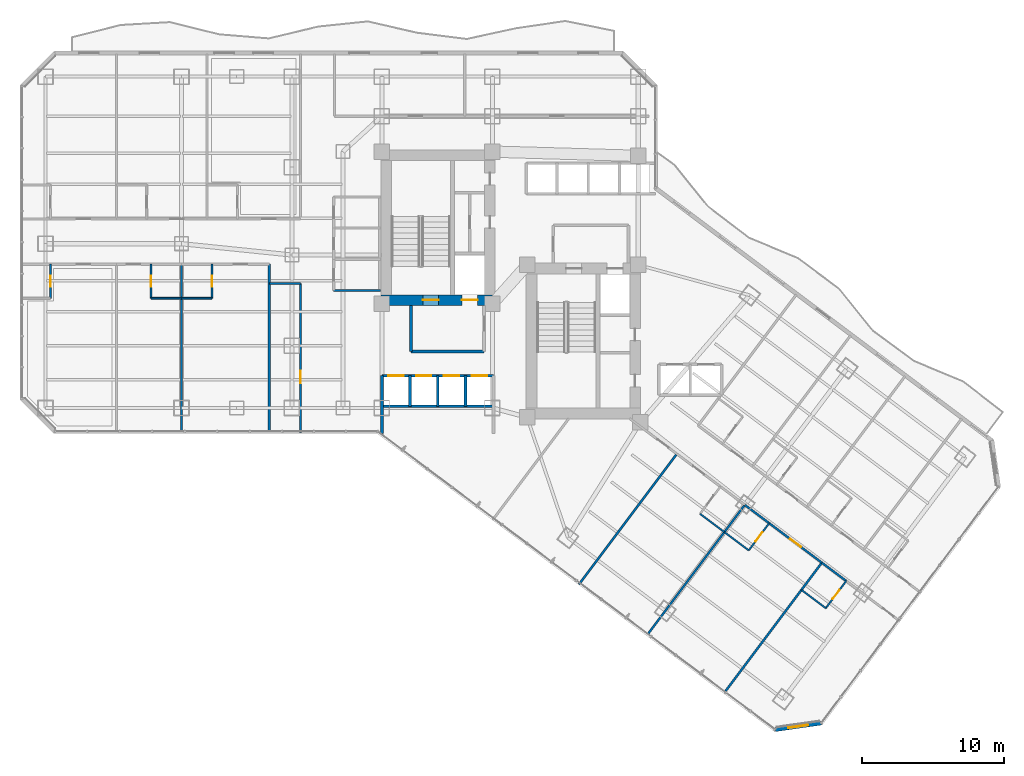
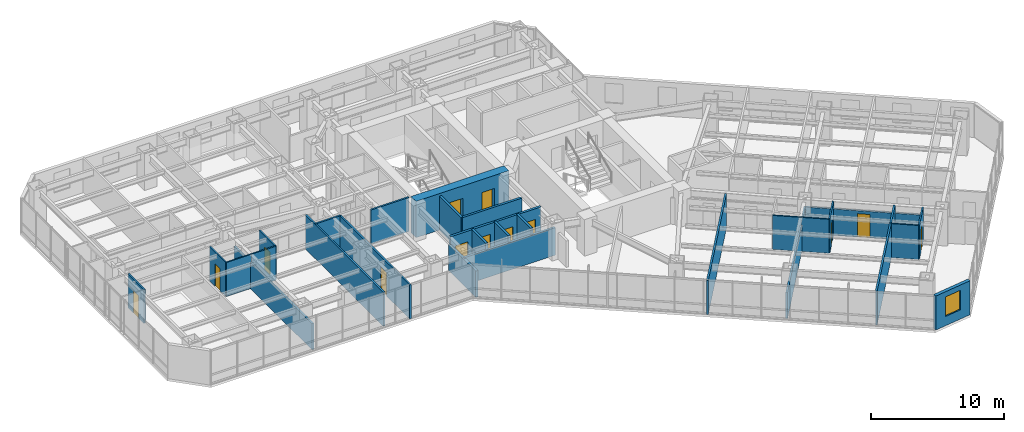
# One storey, part 28 of 38: 31 walls, 13 doors, 1 window, 14 openings.
"""IFC4 building model written with IfcOpenShell, lengths in metres."""

from ifc_helpers import new_model, si_unit, direction, frame, frame_2d, origin, place, context, subcontext, project, spatial, rectangle, extrude, material, layer, layer_set, type_object, element, fill, save


model = new_model("IFC4")

# Units and contexts
model_context = context("Model", 3, precision=1e-05, world=origin(), true_north=direction((0.0, 1.0)))
body_context = subcontext(model_context, "Body", "Model", "MODEL_VIEW")
ifc_project = project(units=[si_unit("LENGTHUNIT", "METRE"), si_unit("AREAUNIT", "SQUARE_METRE"), si_unit("VOLUMEUNIT", "CUBIC_METRE"), si_unit("PLANEANGLEUNIT", "RADIAN"), si_unit("MASSUNIT", "GRAM", prefix="KILO")], contexts=[model_context])

# Site, building, storey
site_placement = place(None, origin())
site = spatial("IfcSite", under=ifc_project, at=site_placement, CompositionType="ELEMENT")
building_placement = place(site_placement, origin())
building = spatial("IfcBuilding", under=site, at=building_placement, Name="Hatsunagi Terrace Concourse", CompositionType="ELEMENT")
storey_placement = place(building_placement, frame((0.0, 0.0, 63.39990234375)))
storey = spatial("IfcBuildingStorey", under=building, at=storey_placement, Name="L16", CompositionType="ELEMENT", Elevation=63.39990234375)

# Wall, openings, doors
ifc_material_1 = material(Name="Concrete Fc60", Category="concrete")
ifc_layer_1 = layer(ifc_material_1, 0.75)
ifc_layer_set_1 = layer_set([ifc_layer_1], Name="CoreShearWall_Fc60_750")
wall_type_1 = type_object("IfcWallType", Name="CoreShearWall_Fc60_750", PredefinedType="SHEAR", material=ifc_layer_set_1)
wall_1_placement = place(storey_placement, frame((25.469970703125, 32.81494140625, 0.0), z_axis=(0.0, 0.0, 1.0), x_axis=(1.0, 0.0, 0.0)))
wall_1 = element("IfcWall", 1, at=wall_1_placement, inside=storey, type_object=wall_type_1, Name="Core A Shear Wall S L16", PredefinedType="SHEAR", context=body_context, shape_type="SweptSolid", body=[
    extrude(rectangle(XDim=8.080078125, YDim=0.75, at=frame_2d((4.0400390625, 0.0))), origin(), (0.0, 0.0, 1.0), 3.35009765625),
])
opening_1_placement = place(wall_1_placement, frame((2.97998046875, 0.0, 0.0)))
opening_1 = element("IfcOpeningElement", 2, at=opening_1_placement, cuts=wall_1, Name="Opening DR-110S", PredefinedType="OPENING", context=body_context, shape_type="SweptSolid", body=[
    extrude(rectangle(XDim=1.10009765625, YDim=2.199951171875, at=frame_2d((0.550048828125, 1.10009765625))), frame((0.0, 0.385009765625, 0.0), z_axis=(0.0, -1.0, 0.0), x_axis=(1.0, 0.0, 0.0)), (0.0, 0.0, 1.0), 0.77001953125),
])
opening_2_placement = place(wall_1_placement, frame((5.72998046875, 0.0, 0.0)))
opening_2 = element("IfcOpeningElement", 3, at=opening_2_placement, cuts=wall_1, Name="Opening LD-01", PredefinedType="OPENING", context=body_context, shape_type="SweptSolid", body=[
    extrude(rectangle(XDim=1.10009765625, YDim=2.14990234375, at=frame_2d((0.550048828125, 1.074951171875))), frame((0.0, 0.385009765625, 0.0), z_axis=(0.0, -1.0, 0.0), x_axis=(1.0, 0.0, 0.0)), (0.0, 0.0, 1.0), 0.77001953125),
])
ifc_material_2 = material(Name="Stainless steel", Category="steel")
door_type_1 = type_object("IfcDoorType", Name="LiftLandingDoor_LD01", OperationType="SLIDING_TO_LEFT", PredefinedType="USERDEFINED", material=ifc_material_2)
door_1_placement = place(opening_2_placement, origin())
door_1 = element("IfcDoor", 4, at=door_1_placement, inside=storey, type_object=door_type_1, Name="Lift landing door FF-01 L16", ObjectType="SLIDING_LANDING_DOOR", OperationType="SLIDING_TO_LEFT", OverallHeight=2.14990234375, OverallWidth=1.10009765625, PredefinedType="USERDEFINED", context=body_context, shape_type="SweptSolid", body=[
    extrude(rectangle(XDim=1.10009765625, YDim=2.14990234375, at=frame_2d((0.550048828125, 1.074951171875))), frame((0.0, 0.02490234375, 0.0), z_axis=(0.0, -1.0, 0.0), x_axis=(1.0, 0.0, 0.0)), (0.0, 0.0, 1.0), 0.050048828125),
])
fill(opening_2, door_1)
ifc_material_3 = material(Name="Painted steel", Category="steel")
door_type_2 = type_object("IfcDoorType", Name="StairFireDoor_EI60_1100", OperationType="NOTDEFINED", PredefinedType="DOOR", material=ifc_material_3)
door_2_placement = place(opening_1_placement, origin())
door_2 = element("IfcDoor", 5, at=door_2_placement, inside=storey, type_object=door_type_2, Name="Stair ST-A Exit Door L16", OperationType="SINGLE_SWING_LEFT", OverallHeight=2.199951171875, OverallWidth=1.10009765625, PredefinedType="DOOR", context=body_context, shape_type="SweptSolid", body=[
    extrude(rectangle(XDim=1.10009765625, YDim=2.199951171875, at=frame_2d((0.550048828125, 1.10009765625))), frame((0.0, 0.02490234375, 0.0), z_axis=(0.0, -1.0, 0.0), x_axis=(1.0, 0.0, 0.0)), (0.0, 0.0, 1.0), 0.050048828125),
])
fill(opening_1, door_2)

# Wall, opening, door
ifc_material_4 = material(Name="Acoustic mineral board", Category="gypsum")
ifc_layer_2 = layer(ifc_material_4, 0.1201171875)
ifc_layer_set_2 = layer_set([ifc_layer_2], Name="PartitionWall_EI30_120")
wall_type_2 = type_object("IfcWallType", Name="PartitionWall_EI30_120", PredefinedType="PARTITIONING", material=ifc_layer_set_2)
wall_2_placement = place(storey_placement, frame((2.14990234375, 32.949951171875, 0.0), z_axis=(0.0, 0.0, 1.0), x_axis=(0.0, 1.0, 0.0)))
wall_2 = element("IfcWall", 6, at=wall_2_placement, inside=storey, type_object=wall_type_2, Name="Interior Partition IW-L16-062", PredefinedType="PARTITIONING", context=body_context, shape_type="SweptSolid", body=[
    extrude(rectangle(XDim=2.400146484375, YDim=0.1201171875, at=frame_2d((1.2001953125, 0.0))), origin(), (0.0, 0.0, 1.0), 3.130126953125),
])
opening_3_placement = place(wall_2_placement, frame((0.800048828125, 0.0, 0.0)))
opening_3 = element("IfcOpeningElement", 7, at=opening_3_placement, cuts=wall_2, Name="Opening DR-080", PredefinedType="OPENING", context=body_context, shape_type="SweptSolid", body=[
    extrude(rectangle(XDim=0.800048828125, YDim=2.06005859375, at=frame_2d((0.39990234375, 1.030029296875))), frame((0.0, 0.070068359375, 0.0), z_axis=(0.0, -1.0, 0.0), x_axis=(1.0, 0.0, 0.0)), (0.0, 0.0, 1.0), 0.14013671875),
])
ifc_material_5 = material(Name="Hardwood timber", Category="wood")
door_type_3 = type_object("IfcDoorType", Name="BathroomDoor_800", OperationType="NOTDEFINED", PredefinedType="DOOR", material=ifc_material_5)
door_3_placement = place(opening_3_placement, origin())
door_3 = element("IfcDoor", 8, at=door_3_placement, inside=storey, type_object=door_type_3, Name="En-Suite Bathroom L16-S1 Door", OperationType="SINGLE_SWING_RIGHT", OverallHeight=2.06005859375, OverallWidth=0.800048828125, PredefinedType="DOOR", context=body_context, shape_type="SweptSolid", body=[
    extrude(rectangle(XDim=0.800048828125, YDim=2.06005859375, at=frame_2d((0.39990234375, 1.030029296875))), frame((0.0, 0.02490234375, 0.0), z_axis=(0.0, -1.0, 0.0), x_axis=(1.0, 0.0, 0.0)), (0.0, 0.0, 1.0), 0.050048828125),
])
fill(opening_3, door_3)

wall_3_placement = place(storey_placement, frame((9.25, 32.949951171875, 0.0), z_axis=(0.0, 0.0, 1.0), x_axis=(0.0, 1.0, 0.0)))
wall_3 = element("IfcWall", 9, at=wall_3_placement, inside=storey, type_object=wall_type_2, Name="Interior Partition IW-L16-067", PredefinedType="PARTITIONING", context=body_context, shape_type="SweptSolid", body=[
    extrude(rectangle(XDim=2.400146484375, YDim=0.1201171875, at=frame_2d((1.2001953125, 0.0))), origin(), (0.0, 0.0, 1.0), 3.130126953125),
])
opening_4_placement = place(wall_3_placement, frame((0.800048828125, 0.0, 0.0)))
opening_4 = element("IfcOpeningElement", 10, at=opening_4_placement, cuts=wall_3, Name="Opening DR-080", PredefinedType="OPENING", context=body_context, shape_type="SweptSolid", body=[
    extrude(rectangle(XDim=0.800048828125, YDim=2.06005859375, at=frame_2d((0.39990234375, 1.030029296875))), frame((0.0, 0.070068359375, 0.0), z_axis=(0.0, -1.0, 0.0), x_axis=(1.0, 0.0, 0.0)), (0.0, 0.0, 1.0), 0.14013671875),
])
door_4_placement = place(opening_4_placement, origin())
door_4 = element("IfcDoor", 11, at=door_4_placement, inside=storey, type_object=door_type_3, Name="En-Suite Bathroom L16-S2 Door", OperationType="SINGLE_SWING_LEFT", OverallHeight=2.06005859375, OverallWidth=0.800048828125, PredefinedType="DOOR", context=body_context, shape_type="SweptSolid", body=[
    extrude(rectangle(XDim=0.800048828125, YDim=2.06005859375, at=frame_2d((0.39990234375, 1.030029296875))), frame((0.0, 0.02490234375, 0.0), z_axis=(0.0, -1.0, 0.0), x_axis=(1.0, 0.0, 0.0)), (0.0, 0.0, 1.0), 0.050048828125),
])
fill(opening_4, door_4)

# Wall
wall_4_placement = place(storey_placement, frame((9.25, 32.949951171875, 0.0), z_axis=(0.0, 0.0, 1.0), x_axis=(1.0, 0.0, 0.0)))
element("IfcWall", 12, at=wall_4_placement, inside=storey, type_object=wall_type_2, Name="Interior Partition IW-L16-068", PredefinedType="PARTITIONING", context=body_context, shape_type="SweptSolid", body=[
    extrude(rectangle(XDim=2.14990234375, YDim=0.1201171875, at=frame_2d((1.074951171875, 0.0))), origin(), (0.0, 0.0, 1.0), 3.130126953125),
])

# Wall, opening, door
wall_5_placement = place(storey_placement, frame((13.550048828125, 32.949951171875, 0.0), z_axis=(0.0, 0.0, 1.0), x_axis=(0.0, 1.0, 0.0)))
wall_5 = element("IfcWall", 13, at=wall_5_placement, inside=storey, type_object=wall_type_2, Name="Interior Partition IW-L16-072", PredefinedType="PARTITIONING", context=body_context, shape_type="SweptSolid", body=[
    extrude(rectangle(XDim=2.400146484375, YDim=0.1201171875, at=frame_2d((1.2001953125, 0.0))), origin(), (0.0, 0.0, 1.0), 3.130126953125),
])
opening_5_placement = place(wall_5_placement, frame((0.800048828125, 0.0, 0.0)))
opening_5 = element("IfcOpeningElement", 14, at=opening_5_placement, cuts=wall_5, Name="Opening DR-080", PredefinedType="OPENING", context=body_context, shape_type="SweptSolid", body=[
    extrude(rectangle(XDim=0.800048828125, YDim=2.06005859375, at=frame_2d((0.39990234375, 1.030029296875))), frame((0.0, 0.070068359375, 0.0), z_axis=(0.0, -1.0, 0.0), x_axis=(1.0, 0.0, 0.0)), (0.0, 0.0, 1.0), 0.14013671875),
])
door_5_placement = place(opening_5_placement, origin())
door_5 = element("IfcDoor", 15, at=door_5_placement, inside=storey, type_object=door_type_3, Name="En-Suite Bathroom L16-S3 Door", OperationType="SINGLE_SWING_RIGHT", OverallHeight=2.06005859375, OverallWidth=0.800048828125, PredefinedType="DOOR", context=body_context, shape_type="SweptSolid", body=[
    extrude(rectangle(XDim=0.800048828125, YDim=2.06005859375, at=frame_2d((0.39990234375, 1.030029296875))), frame((0.0, 0.02490234375, 0.0), z_axis=(0.0, -1.0, 0.0), x_axis=(1.0, 0.0, 0.0)), (0.0, 0.0, 1.0), 0.050048828125),
])
fill(opening_5, door_5)

# Walls
wall_6_placement = place(storey_placement, frame((11.39990234375, 32.949951171875, 0.0), z_axis=(0.0, 0.0, 1.0), x_axis=(1.0, 0.0, 0.0)))
element("IfcWall", 16, at=wall_6_placement, inside=storey, type_object=wall_type_2, Name="Interior Partition IW-L16-073", PredefinedType="PARTITIONING", context=body_context, shape_type="SweptSolid", body=[
    extrude(rectangle(XDim=2.150146484375, YDim=0.1201171875, at=frame_2d((1.0751953125, 0.0))), origin(), (0.0, 0.0, 1.0), 3.130126953125),
])
wall_7_placement = place(storey_placement, frame((48.010009765625, 17.72998046875, 0.0), z_axis=(0.0, 0.0, 1.0), x_axis=(0.79998637334, -0.60001816845, 0.0)))
element("IfcWall", 17, at=wall_7_placement, inside=storey, type_object=wall_type_2, Name="Interior Partition IW-L16-100", PredefinedType="PARTITIONING", context=body_context, shape_type="SweptSolid", body=[
    extrude(rectangle(XDim=2.14990234375, YDim=0.1201171875, at=frame_2d((1.074951171875, 0.0))), origin(), (0.0, 0.0, 1.0), 3.130126953125),
])

# Wall, opening, door
wall_8_placement = place(storey_placement, frame((51.449951171875, 15.14990234375, 0.0), z_axis=(0.0, 0.0, 1.0), x_axis=(0.599951172744, 0.800036618114, 0.0)))
wall_8 = element("IfcWall", 18, at=wall_8_placement, inside=storey, type_object=wall_type_2, Name="Interior Partition IW-L16-104", PredefinedType="PARTITIONING", context=body_context, shape_type="SweptSolid", body=[
    extrude(rectangle(XDim=2.400146484375, YDim=0.1201171875, at=frame_2d((1.2001953125, 0.0))), origin(), (0.0, 0.0, 1.0), 3.130126953125),
])
opening_6_placement = place(wall_8_placement, frame((0.800048828125, 0.0, 0.0)))
opening_6 = element("IfcOpeningElement", 19, at=opening_6_placement, cuts=wall_8, Name="Opening DR-080", PredefinedType="OPENING", context=body_context, shape_type="SweptSolid", body=[
    extrude(rectangle(XDim=0.800048828125, YDim=2.06005859375, at=frame_2d((0.39990234375, 1.030029296875))), frame((0.0, 0.070068359375, 0.0), z_axis=(0.0, -1.0, 0.0), x_axis=(1.0, 0.0, 0.0)), (0.0, 0.0, 1.0), 0.14013671875),
])
door_6_placement = place(opening_6_placement, origin())
door_6 = element("IfcDoor", 20, at=door_6_placement, inside=storey, type_object=door_type_3, Name="En-Suite Bathroom L16-SESW2 Door", OperationType="SINGLE_SWING_RIGHT", OverallHeight=2.06005859375, OverallWidth=0.800048828125, PredefinedType="DOOR", context=body_context, shape_type="SweptSolid", body=[
    extrude(rectangle(XDim=0.800048828125, YDim=2.06005859375, at=frame_2d((0.39990234375, 1.030029296875))), frame((0.0, 0.02490234375, 0.0), z_axis=(0.0, -1.0, 0.0), x_axis=(1.0, 0.0, 0.0)), (0.0, 0.0, 1.0), 0.050048828125),
])
fill(opening_6, door_6)

# Wall
wall_9_placement = place(storey_placement, frame((49.72998046875, 16.43994140625, 0.0), z_axis=(0.0, 0.0, 1.0), x_axis=(0.79998637334, -0.60001816845, 0.0)))
element("IfcWall", 21, at=wall_9_placement, inside=storey, type_object=wall_type_2, Name="Interior Partition IW-L16-105", PredefinedType="PARTITIONING", context=body_context, shape_type="SweptSolid", body=[
    extrude(rectangle(XDim=2.14990234375, YDim=0.1201171875, at=frame_2d((1.074951171875, 0.0))), origin(), (0.0, 0.0, 1.0), 3.130126953125),
])

# Wall, opening, door
wall_10_placement = place(storey_placement, frame((56.889892578125, 11.070068359375, 0.0), z_axis=(0.0, 0.0, 1.0), x_axis=(0.600065100855, 0.79995117022, 0.0)))
wall_10 = element("IfcWall", 22, at=wall_10_placement, inside=storey, type_object=wall_type_2, Name="Interior Partition IW-L16-109", PredefinedType="PARTITIONING", context=body_context, shape_type="SweptSolid", body=[
    extrude(rectangle(XDim=2.400146484375, YDim=0.1201171875, at=frame_2d((1.2001953125, 0.0))), origin(), (0.0, 0.0, 1.0), 3.130126953125),
])
opening_7_placement = place(wall_10_placement, frame((0.800048828125, 0.0, 0.0)))
opening_7 = element("IfcOpeningElement", 23, at=opening_7_placement, cuts=wall_10, Name="Opening DR-080", PredefinedType="OPENING", context=body_context, shape_type="SweptSolid", body=[
    extrude(rectangle(XDim=0.800048828125, YDim=2.06005859375, at=frame_2d((0.39990234375, 1.030029296875))), frame((0.0, 0.070068359375, 0.0), z_axis=(0.0, -1.0, 0.0), x_axis=(1.0, 0.0, 0.0)), (0.0, 0.0, 1.0), 0.14013671875),
])
door_7_placement = place(opening_7_placement, origin())
door_7 = element("IfcDoor", 24, at=door_7_placement, inside=storey, type_object=door_type_3, Name="En-Suite Bathroom L16-SESW3 Door", OperationType="SINGLE_SWING_LEFT", OverallHeight=2.06005859375, OverallWidth=0.800048828125, PredefinedType="DOOR", context=body_context, shape_type="SweptSolid", body=[
    extrude(rectangle(XDim=0.800048828125, YDim=2.06005859375, at=frame_2d((0.39990234375, 1.030029296875))), frame((0.0, 0.02490234375, 0.0), z_axis=(0.0, -1.0, 0.0), x_axis=(1.0, 0.0, 0.0)), (0.0, 0.0, 1.0), 0.050048828125),
])
fill(opening_7, door_7)

# Walls
wall_11_placement = place(storey_placement, frame((55.169921875, 12.360107421875, 0.0), z_axis=(0.0, 0.0, 1.0), x_axis=(0.79998637334, -0.60001816845, 0.0)))
element("IfcWall", 25, at=wall_11_placement, inside=storey, type_object=wall_type_2, Name="Interior Partition IW-L16-110", PredefinedType="PARTITIONING", context=body_context, shape_type="SweptSolid", body=[
    extrude(rectangle(XDim=2.14990234375, YDim=0.1201171875, at=frame_2d((1.074951171875, 0.0))), origin(), (0.0, 0.0, 1.0), 3.130126953125),
])
ifc_material_6 = material(Name="Acoustic mineral board", Category="gypsum")
ifc_layer_3 = layer(ifc_material_6, 0.14990234375)
ifc_layer_set_3 = layer_set([ifc_layer_3], Name="PartitionWall_EI60_150")
wall_type_3 = type_object("IfcWallType", Name="PartitionWall_EI60_150", PredefinedType="PARTITIONING", material=ifc_layer_set_3)
wall_12_placement = place(storey_placement, frame((22.14990234375, 33.5, 0.0), z_axis=(0.0, 0.0, 1.0), x_axis=(1.0, 0.0, 0.0)))
element("IfcWall", 26, at=wall_12_placement, inside=storey, type_object=wall_type_3, Name="Interior Partition IW-L16-030", PredefinedType="PARTITIONING", context=body_context, shape_type="SweptSolid", body=[
    extrude(rectangle(XDim=3.300048828125, YDim=0.14990234375, at=frame_2d((1.64990234375, 0.0))), origin(), (0.0, 0.0, 1.0), 3.130126953125),
])
wall_13_placement = place(storey_placement, frame((39.464111328125, 12.751953125, 0.0), z_axis=(0.0, 0.0, 1.0), x_axis=(0.6, 0.8, 0.0)))
element("IfcWall", 27, at=wall_13_placement, inside=storey, type_object=wall_type_3, Name="Interior Partition IW-L16-044", PredefinedType="PARTITIONING", context=body_context, shape_type="SweptSolid", body=[
    extrude(rectangle(XDim=11.510009765625, YDim=0.14990234375, at=frame_2d((5.7548828125, 0.0))), origin(), (0.0, 0.0, 1.0), 3.130126953125),
])
wall_14_placement = place(storey_placement, frame((11.39990234375, 23.60009765625, 0.0), z_axis=(0.0, 0.0, 1.0), x_axis=(0.0, 1.0, 0.0)))
element("IfcWall", 28, at=wall_14_placement, inside=storey, type_object=wall_type_3, Name="Interior Partition IW-L16-069", PredefinedType="PARTITIONING", context=body_context, shape_type="SweptSolid", body=[
    extrude(rectangle(XDim=11.75, YDim=0.14990234375, at=frame_2d((5.875, 0.0))), origin(), (0.0, 0.0, 1.0), 2.425048828125),
])
wall_15_placement = place(storey_placement, frame((17.60009765625, 23.60009765625, 0.0), z_axis=(0.0, 0.0, 1.0), x_axis=(0.0, 1.0, 0.0)))
element("IfcWall", 29, at=wall_15_placement, inside=storey, type_object=wall_type_3, Name="Interior Partition IW-L16-074", PredefinedType="PARTITIONING", context=body_context, shape_type="SweptSolid", body=[
    extrude(rectangle(XDim=11.75, YDim=0.14990234375, at=frame_2d((5.875, 0.0))), origin(), (0.0, 0.0, 1.0), 3.130126953125),
])
wall_16_placement = place(storey_placement, frame((17.60009765625, 34.0, 0.0), z_axis=(0.0, 0.0, 1.0), x_axis=(1.0, 0.0, 0.0)))
element("IfcWall", 30, at=wall_16_placement, inside=storey, type_object=wall_type_3, Name="Interior Partition IW-L16-075", PredefinedType="PARTITIONING", context=body_context, shape_type="SweptSolid", body=[
    extrude(rectangle(XDim=2.199951171875, YDim=0.14990234375, at=frame_2d((1.10009765625, 0.0))), origin(), (0.0, 0.0, 1.0), 3.130126953125),
])

# Wall, opening, door
wall_17_placement = place(storey_placement, frame((19.800048828125, 23.43994140625, 0.0), z_axis=(0.0, 0.0, 1.0), x_axis=(0.0, 1.0, 0.0)))
wall_17 = element("IfcWall", 31, at=wall_17_placement, inside=storey, type_object=wall_type_3, Name="Interior Partition IW-L16-076", PredefinedType="PARTITIONING", context=body_context, shape_type="SweptSolid", body=[
    extrude(rectangle(XDim=10.56005859375, YDim=0.14990234375, at=frame_2d((5.280029296875, 0.0))), origin(), (0.0, 0.0, 1.0), 3.130126953125),
])
opening_8_placement = place(wall_17_placement, frame((3.4951171875, 0.0, 0.0)))
opening_8 = element("IfcOpeningElement", 32, at=opening_8_placement, cuts=wall_17, Name="Opening DR-090", PredefinedType="OPENING", context=body_context, shape_type="SweptSolid", body=[
    extrude(rectangle(XDim=0.89990234375, YDim=2.14990234375, at=frame_2d((0.449951171875, 1.074951171875))), frame((0.0, 0.0849609375, 0.0), z_axis=(0.0, -1.0, 0.0), x_axis=(1.0, 0.0, 0.0)), (0.0, 0.0, 1.0), 0.169921875),
])
ifc_material_7 = material(Name="Hardwood timber", Category="wood")
door_type_4 = type_object("IfcDoorType", Name="CrownPavilionDoor_EI30_900", OperationType="NOTDEFINED", PredefinedType="DOOR", material=ifc_material_7)
door_8_placement = place(opening_8_placement, origin())
door_8 = element("IfcDoor", 33, at=door_8_placement, inside=storey, type_object=door_type_4, Name="Catering Pantry L16-HPAN Door", OperationType="SINGLE_SWING_RIGHT", OverallHeight=2.14990234375, OverallWidth=0.89990234375, PredefinedType="DOOR", context=body_context, shape_type="SweptSolid", body=[
    extrude(rectangle(XDim=0.89990234375, YDim=2.14990234375, at=frame_2d((0.449951171875, 1.074951171875))), frame((0.0, 0.02490234375, 0.0), z_axis=(0.0, -1.0, 0.0), x_axis=(1.0, 0.0, 0.0)), (0.0, 0.0, 1.0), 0.050048828125),
])
fill(opening_8, door_8)

# Walls
wall_18_placement = place(storey_placement, frame((44.360107421875, 9.280029296875, 0.0), z_axis=(0.0, 0.0, 1.0), x_axis=(0.599986233332, 0.800010324816, 0.0)))
element("IfcWall", 34, at=wall_18_placement, inside=storey, type_object=wall_type_3, Name="Interior Partition IW-L16-101", PredefinedType="PARTITIONING", context=body_context, shape_type="SweptSolid", body=[
    extrude(rectangle(XDim=11.349853515625, YDim=0.14990234375, at=frame_2d((5.6748046875, 0.0))), origin(), (0.0, 0.0, 1.0), 2.425048828125),
])
wall_19_placement = place(storey_placement, frame((51.169921875, 18.360107421875, 0.0), z_axis=(0.0, 0.0, 1.0), x_axis=(0.79998637334, -0.60001816845, 0.0)))
element("IfcWall", 35, at=wall_19_placement, inside=storey, type_object=wall_type_3, Name="Interior Partition IW-L16-102", PredefinedType="PARTITIONING", context=body_context, shape_type="SweptSolid", body=[
    extrude(rectangle(XDim=2.14990234375, YDim=0.14990234375, at=frame_2d((1.074951171875, 0.0))), origin(), (0.0, 0.0, 1.0), 2.425048828125),
])

# Wall, opening, door
wall_20_placement = place(storey_placement, frame((52.889892578125, 17.070068359375, 0.0), z_axis=(0.0, 0.0, 1.0), x_axis=(0.800012600101, -0.599983199498, 0.0)))
wall_20 = element("IfcWall", 36, at=wall_20_placement, inside=storey, type_object=wall_type_3, Name="Interior Partition IW-L16-103", PredefinedType="PARTITIONING", context=body_context, shape_type="SweptSolid", body=[
    extrude(rectangle(XDim=4.650146484375, YDim=0.14990234375, at=frame_2d((2.3251953125, 0.0))), origin(), (0.0, 0.0, 1.0), 2.425048828125),
])
opening_9_placement = place(wall_20_placement, frame((1.85009765625, 0.0, 0.0)))
opening_9 = element("IfcOpeningElement", 37, at=opening_9_placement, cuts=wall_20, Name="Opening DR-095", PredefinedType="OPENING", context=body_context, shape_type="SweptSolid", body=[
    extrude(rectangle(XDim=0.949951171875, YDim=2.14990234375, at=frame_2d((0.47509765625, 1.074951171875))), frame((0.0, 0.0849609375, 0.0), z_axis=(0.0, -1.0, 0.0), x_axis=(1.0, 0.0, 0.0)), (0.0, 0.0, 1.0), 0.169921875),
])
ifc_material_8 = material(Name="Hardwood timber", Category="wood")
door_type_5 = type_object("IfcDoorType", Name="InteriorSuiteDoor_EI30_950", OperationType="NOTDEFINED", PredefinedType="DOOR", material=ifc_material_8)
door_9_placement = place(opening_9_placement, origin())
door_9 = element("IfcDoor", 38, at=door_9_placement, inside=storey, type_object=door_type_5, Name="Corner Hotel Suite L16-SESW2 Door", OperationType="SINGLE_SWING_RIGHT", OverallHeight=2.14990234375, OverallWidth=0.949951171875, PredefinedType="DOOR", context=body_context, shape_type="SweptSolid", body=[
    extrude(rectangle(XDim=0.949951171875, YDim=2.14990234375, at=frame_2d((0.47509765625, 1.074951171875))), frame((0.0, 0.02490234375, 0.0), z_axis=(0.0, -1.0, 0.0), x_axis=(1.0, 0.0, 0.0)), (0.0, 0.0, 1.0), 0.050048828125),
])
fill(opening_9, door_9)

# Walls
wall_21_placement = place(storey_placement, frame((49.800048828125, 5.199951171875, 0.0), z_axis=(0.0, 0.0, 1.0), x_axis=(0.6, 0.8, 0.0)))
element("IfcWall", 39, at=wall_21_placement, inside=storey, type_object=wall_type_3, Name="Interior Partition IW-L16-106", PredefinedType="PARTITIONING", context=body_context, shape_type="SweptSolid", body=[
    extrude(rectangle(XDim=11.35009765625, YDim=0.14990234375, at=frame_2d((5.675048828125, 0.0))), origin(), (0.0, 0.0, 1.0), 3.130126953125),
])
wall_22_placement = place(storey_placement, frame((56.610107421875, 14.280029296875, 0.0), z_axis=(0.0, 0.0, 1.0), x_axis=(0.79998637334, -0.60001816845, 0.0)))
element("IfcWall", 40, at=wall_22_placement, inside=storey, type_object=wall_type_3, Name="Interior Partition IW-L16-107", PredefinedType="PARTITIONING", context=body_context, shape_type="SweptSolid", body=[
    extrude(rectangle(XDim=2.14990234375, YDim=0.14990234375, at=frame_2d((1.074951171875, 0.0))), origin(), (0.0, 0.0, 1.0), 2.425048828125),
])
ifc_material_9 = material(Name="Acoustic mineral board", Category="gypsum")
ifc_layer_4 = layer(ifc_material_9, 0.199951171875)
ifc_layer_set_4 = layer_set([ifc_layer_4], Name="ShaftWall_EI120_200")
wall_type_4 = type_object("IfcWallType", Name="ShaftWall_EI120_200", PredefinedType="STANDARD", material=ifc_layer_set_4)
wall_23_placement = place(storey_placement, frame((27.60009765625, 29.199951171875, 0.0), z_axis=(0.0, 0.0, 1.0), x_axis=(1.0, 0.0, 0.0)))
element("IfcWall", 41, at=wall_23_placement, inside=storey, type_object=wall_type_4, Name="Interior Partition IW-L16-006", PredefinedType="STANDARD", context=body_context, shape_type="SweptSolid", body=[
    extrude(rectangle(XDim=5.14990234375, YDim=0.199951171875, at=frame_2d((2.574951171875, 0.0))), origin(), (0.0, 0.0, 1.0), 3.130126953125),
])
wall_24_placement = place(storey_placement, frame((27.60009765625, 29.199951171875, 0.0), z_axis=(0.0, 0.0, 1.0), x_axis=(0.0, 1.0, 0.0)))
element("IfcWall", 42, at=wall_24_placement, inside=storey, type_object=wall_type_4, Name="Interior Partition IW-L16-007", PredefinedType="STANDARD", context=body_context, shape_type="SweptSolid", body=[
    extrude(rectangle(XDim=3.239990234375, YDim=0.199951171875, at=frame_2d((1.6201171875, 0.0))), origin(), (0.0, 0.0, 1.0), 3.130126953125),
])
wall_25_placement = place(storey_placement, frame((25.550048828125, 23.39990234375, 0.0), z_axis=(0.0, 0.0, 1.0), x_axis=(0.0, 1.0, 0.0)))
element("IfcWall", 43, at=wall_25_placement, inside=storey, type_object=wall_type_4, Name="Interior Partition IW-L16-012", PredefinedType="STANDARD", context=body_context, shape_type="SweptSolid", body=[
    extrude(rectangle(XDim=4.080078125, YDim=0.199951171875, at=frame_2d((2.0400390625, 0.0))), origin(), (0.0, 0.0, 1.0), 2.425048828125),
])
wall_26_placement = place(storey_placement, frame((25.550048828125, 25.320068359375, 0.0), z_axis=(0.0, 0.0, 1.0), x_axis=(1.0, 0.0, 0.0)))
element("IfcWall", 44, at=wall_26_placement, inside=storey, type_object=wall_type_4, Name="Interior Partition IW-L16-014", PredefinedType="STANDARD", context=body_context, shape_type="SweptSolid", body=[
    extrude(rectangle(XDim=7.8798828125, YDim=0.199951171875, at=frame_2d((3.93994140625, 0.0))), origin(), (0.0, 0.0, 1.0), 2.525146484375),
])
for number, where, z_axis, x_axis, name in (
    (45, (27.530029296875, 25.320068359375, 0.0), (0.0, 0.0, 1.0), (0.0, 1.0, 0.0), "Interior Partition IW-L16-015"),
    (46, (29.489990234375, 25.320068359375, 0.0), (0.0, 0.0, 1.0), (0.0, 1.0, 0.0), "Interior Partition IW-L16-016"),
    (47, (31.449951171875, 25.320068359375, 0.0), (0.0, 0.0, 1.0), (0.0, 1.0, 0.0), "Interior Partition IW-L16-017"),
):
    element("IfcWall", number, at=place(storey_placement, frame(where, z_axis=z_axis, x_axis=x_axis)), inside=storey, type_object=wall_type_4, Name=name, PredefinedType="STANDARD", context=body_context, shape_type="SweptSolid", body=[
        extrude(rectangle(XDim=2.159912109375, YDim=0.199951171875, at=frame_2d((1.080078125, 0.0))), origin(), (0.0, 0.0, 1.0), 3.130126953125),
    ])

# Wall, openings, doors
wall_27_placement = place(storey_placement, frame((25.550048828125, 27.47998046875, 0.0), z_axis=(0.0, 0.0, 1.0), x_axis=(1.0, 0.0, 0.0)))
wall_27 = element("IfcWall", 48, at=wall_27_placement, inside=storey, type_object=wall_type_4, Name="Interior Partition IW-L16-018", PredefinedType="STANDARD", context=body_context, shape_type="SweptSolid", body=[
    extrude(rectangle(XDim=7.8798828125, YDim=0.199951171875, at=frame_2d((3.93994140625, 0.0))), origin(), (0.0, 0.0, 1.0), 3.130126953125),
])
opening_10_placement = place(wall_27_placement, frame((0.4599609375, 0.0, 0.0)))
opening_10 = element("IfcOpeningElement", 49, at=opening_10_placement, cuts=wall_27, Name="Opening LD-03", PredefinedType="OPENING", context=body_context, shape_type="SweptSolid", body=[
    extrude(rectangle(XDim=1.080078125, YDim=2.14990234375, at=frame_2d((0.5400390625, 1.074951171875))), frame((0.0, 0.10986328125, 0.0), z_axis=(0.0, -1.0, 0.0), x_axis=(1.0, 0.0, 0.0)), (0.0, 0.0, 1.0), 0.219970703125),
])
opening_11_placement = place(wall_27_placement, frame((2.419921875, 0.0, 0.0)))
opening_11 = element("IfcOpeningElement", 50, at=opening_11_placement, cuts=wall_27, Name="Opening LD-03", PredefinedType="OPENING", context=body_context, shape_type="SweptSolid", body=[
    extrude(rectangle(XDim=1.080078125, YDim=2.14990234375, at=frame_2d((0.5400390625, 1.074951171875))), frame((0.0, 0.10986328125, 0.0), z_axis=(0.0, -1.0, 0.0), x_axis=(1.0, 0.0, 0.0)), (0.0, 0.0, 1.0), 0.219970703125),
])
opening_12_placement = place(wall_27_placement, frame((4.3798828125, 0.0, 0.0)))
opening_12 = element("IfcOpeningElement", 51, at=opening_12_placement, cuts=wall_27, Name="Opening LD-03", PredefinedType="OPENING", context=body_context, shape_type="SweptSolid", body=[
    extrude(rectangle(XDim=1.080078125, YDim=2.14990234375, at=frame_2d((0.5400390625, 1.074951171875))), frame((0.0, 0.10986328125, 0.0), z_axis=(0.0, -1.0, 0.0), x_axis=(1.0, 0.0, 0.0)), (0.0, 0.0, 1.0), 0.219970703125),
])
opening_13_placement = place(wall_27_placement, frame((6.340087890625, 0.0, 0.0)))
opening_13 = element("IfcOpeningElement", 52, at=opening_13_placement, cuts=wall_27, Name="Opening LD-03", PredefinedType="OPENING", context=body_context, shape_type="SweptSolid", body=[
    extrude(rectangle(XDim=1.080078125, YDim=2.14990234375, at=frame_2d((0.5400390625, 1.074951171875))), frame((0.0, 0.10986328125, 0.0), z_axis=(0.0, -1.0, 0.0), x_axis=(1.0, 0.0, 0.0)), (0.0, 0.0, 1.0), 0.219970703125),
])
ifc_material_10 = material(Name="Stainless steel", Category="steel")
door_type_6 = type_object("IfcDoorType", Name="LiftLandingDoor_LD03", OperationType="SLIDING_TO_LEFT", PredefinedType="USERDEFINED", material=ifc_material_10)
door_10_placement = place(opening_10_placement, origin())
door_10 = element("IfcDoor", 53, at=door_10_placement, inside=storey, type_object=door_type_6, Name="Lift landing door PL-01 L16", ObjectType="SLIDING_LANDING_DOOR", OperationType="SLIDING_TO_LEFT", OverallHeight=2.14990234375, OverallWidth=1.080078125, PredefinedType="USERDEFINED", context=body_context, shape_type="SweptSolid", body=[
    extrude(rectangle(XDim=1.080078125, YDim=2.14990234375, at=frame_2d((0.5400390625, 1.074951171875))), frame((0.0, 0.02490234375, 0.0), z_axis=(0.0, -1.0, 0.0), x_axis=(1.0, 0.0, 0.0)), (0.0, 0.0, 1.0), 0.050048828125),
])
fill(opening_10, door_10)
door_11_placement = place(opening_11_placement, origin())
door_11 = element("IfcDoor", 54, at=door_11_placement, inside=storey, type_object=door_type_6, Name="Lift landing door PL-02 L16", ObjectType="SLIDING_LANDING_DOOR", OperationType="SLIDING_TO_LEFT", OverallHeight=2.14990234375, OverallWidth=1.080078125, PredefinedType="USERDEFINED", context=body_context, shape_type="SweptSolid", body=[
    extrude(rectangle(XDim=1.080078125, YDim=2.14990234375, at=frame_2d((0.5400390625, 1.074951171875))), frame((0.0, 0.02490234375, 0.0), z_axis=(0.0, -1.0, 0.0), x_axis=(1.0, 0.0, 0.0)), (0.0, 0.0, 1.0), 0.050048828125),
])
fill(opening_11, door_11)
door_12_placement = place(opening_12_placement, origin())
door_12 = element("IfcDoor", 55, at=door_12_placement, inside=storey, type_object=door_type_6, Name="Lift landing door PL-03 L16", ObjectType="SLIDING_LANDING_DOOR", OperationType="SLIDING_TO_LEFT", OverallHeight=2.14990234375, OverallWidth=1.080078125, PredefinedType="USERDEFINED", context=body_context, shape_type="SweptSolid", body=[
    extrude(rectangle(XDim=1.080078125, YDim=2.14990234375, at=frame_2d((0.5400390625, 1.074951171875))), frame((0.0, 0.02490234375, 0.0), z_axis=(0.0, -1.0, 0.0), x_axis=(1.0, 0.0, 0.0)), (0.0, 0.0, 1.0), 0.050048828125),
])
fill(opening_12, door_12)
door_13_placement = place(opening_13_placement, origin())
door_13 = element("IfcDoor", 56, at=door_13_placement, inside=storey, type_object=door_type_6, Name="Lift landing door PL-04 L16", ObjectType="SLIDING_LANDING_DOOR", OperationType="SLIDING_TO_LEFT", OverallHeight=2.14990234375, OverallWidth=1.080078125, PredefinedType="USERDEFINED", context=body_context, shape_type="SweptSolid", body=[
    extrude(rectangle(XDim=1.080078125, YDim=2.14990234375, at=frame_2d((0.5400390625, 1.074951171875))), frame((0.0, 0.02490234375, 0.0), z_axis=(0.0, -1.0, 0.0), x_axis=(1.0, 0.0, 0.0)), (0.0, 0.0, 1.0), 0.050048828125),
])
fill(opening_13, door_13)

# Wall, opening, window
ifc_material_11 = material(Name="Autoclaved Lightweight Concrete and Terracotta Cladding", Category="masonry")
ifc_layer_5 = layer(ifc_material_11, 0.280029296875)
ifc_layer_set_5 = layer_set([ifc_layer_5], Name="TerracottaSpandrelWall_280")
wall_type_5 = type_object("IfcWallType", Name="TerracottaSpandrelWall_280", PredefinedType="STANDARD", material=ifc_layer_set_5)
wall_28_placement = place(storey_placement, frame((56.56298828125, 2.949951171875, 0.0), z_axis=(0.0, 0.0, 1.0), x_axis=(-0.989977778067, -0.141223223777, 0.0)))
wall_28 = element("IfcWall", 57, at=wall_28_placement, inside=storey, type_object=wall_type_5, Name="Exterior Spandrel Wall EW-L16-04", PredefinedType="STANDARD", context=body_context, shape_type="SweptSolid", body=[
    extrude(rectangle(XDim=3.27783203125, YDim=0.280029296875, at=frame_2d((1.638916015625, 0.0))), origin(), (0.0, 0.0, 1.0), 3.130126953125),
])
opening_14_placement = place(wall_28_placement, frame((0.93896484375, 0.0, 0.85009765625)))
opening_14 = element("IfcOpeningElement", 58, at=opening_14_placement, cuts=wall_28, Name="Opening WIN-02", PredefinedType="OPENING", context=body_context, shape_type="SweptSolid", body=[
    extrude(rectangle(XDim=1.39990234375, YDim=1.800048828125, at=frame_2d((0.699951171875, 0.89990234375))), frame((0.0, 0.14990234375, 0.0), z_axis=(0.0, -1.0, 0.0), x_axis=(1.0, 0.0, 0.0)), (0.0, 0.0, 1.0), 0.300048828125),
])
ifc_material_12 = material(Name="Thermally Broken Aluminium and Low-E Triple Glazing", Category="aluminium")
window_type = type_object("IfcWindowType", Name="HotelOperableVentWindow_1400x1800", PartitioningType="DOUBLE_PANEL_VERTICAL", PredefinedType="WINDOW", material=ifc_material_12)
window_placement = place(opening_14_placement, origin())
window = element("IfcWindow", 59, at=window_placement, inside=storey, type_object=window_type, Name="Hotel Guestroom Window L16-04-1", OverallHeight=1.800048828125, OverallWidth=1.39990234375, PartitioningType="SINGLE_PANEL", PredefinedType="WINDOW", context=body_context, shape_type="SweptSolid", body=[
    extrude(rectangle(XDim=1.39990234375, YDim=1.800048828125, at=frame_2d((0.699951171875, 0.89990234375))), frame((0.0, 0.030029296875, 0.0), z_axis=(0.0, -1.0, 0.0), x_axis=(1.0, 0.0, 0.0)), (0.0, 0.0, 1.0), 0.06005859375),
])
fill(opening_14, window)

save(model, "model.ifc")
